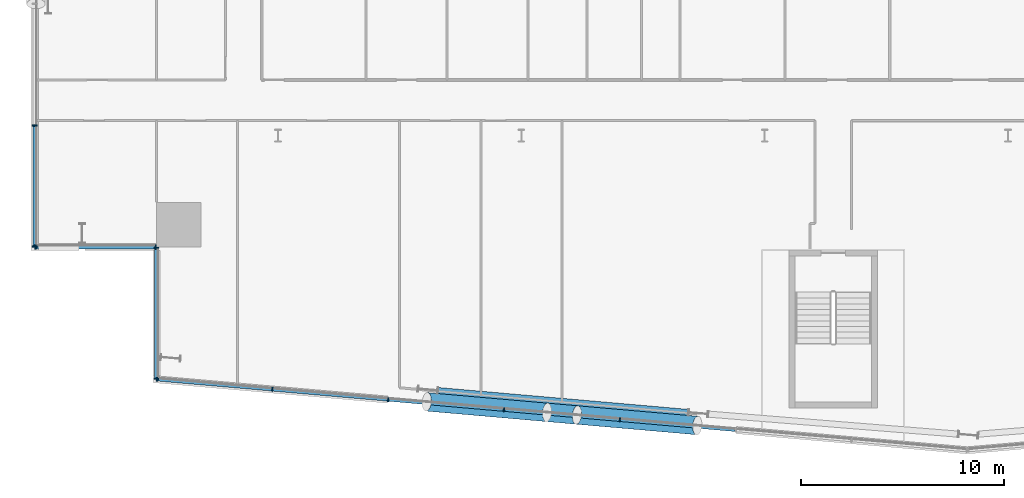
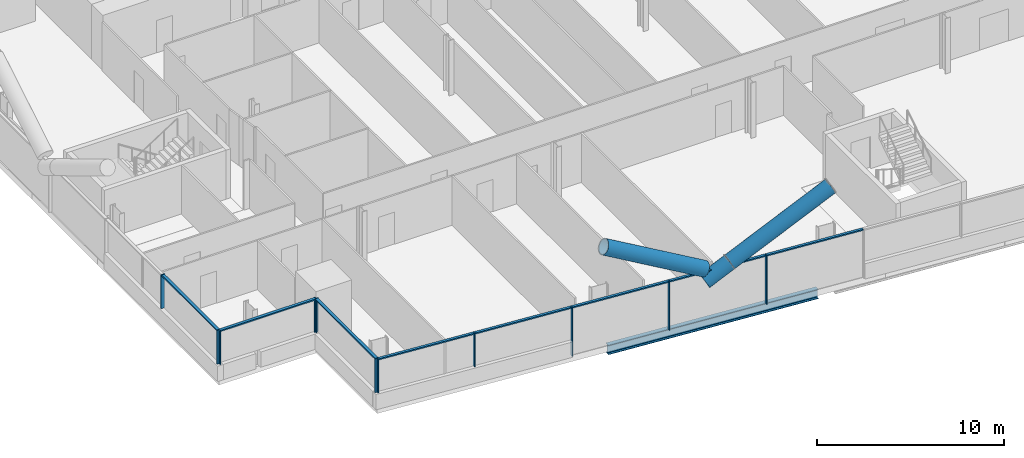
# One storey, part 4 of 27: 22 members, 1 beam, 4 elements without a shape of their own.
"""IFC4 building model written with IfcOpenShell, lengths in metres."""

from ifc_helpers import new_model, si_unit, direction, frame, origin, origin_2d, place, context, subcontext, project, spatial, rectangle, hollow_circle, i_section, extrude, material, material_profile, profile_set, type_object, element, aggregate, save


model = new_model("IFC4")

# Units and contexts
model_context = context("Model", 3, precision=1e-05, world=origin(), true_north=direction((0.0, 1.0)))
body_context = subcontext(model_context, "Body", "Model", "MODEL_VIEW")
ifc_project = project(units=[si_unit("LENGTHUNIT", "METRE"), si_unit("AREAUNIT", "SQUARE_METRE"), si_unit("VOLUMEUNIT", "CUBIC_METRE"), si_unit("PLANEANGLEUNIT", "RADIAN"), si_unit("MASSUNIT", "GRAM", prefix="KILO")], contexts=[model_context])

# Site, building, storey
site_placement = place(None, origin())
site = spatial("IfcSite", under=ifc_project, at=site_placement, CompositionType="ELEMENT")
building_placement = place(site_placement, origin())
building = spatial("IfcBuilding", under=site, at=building_placement, Name="Wharfspan Tower", CompositionType="ELEMENT")
storey_placement = place(building_placement, frame((0.0, 0.0, 48.699951)))
storey = spatial("IfcBuildingStorey", under=building, at=storey_placement, Name="L08", CompositionType="ELEMENT", Elevation=48.699951)

# Member
ifc_material_1 = material(Name="Steel S460NH", Category="steel")
ifc_material_profile_1 = material_profile(ifc_material_1, hollow_circle(Radius=0.457031, WallThickness=0.040039, at=origin_2d()))
ifc_profile_set_1 = profile_set([ifc_material_profile_1], Name="Steel S460NH")
member_type_1 = type_object("IfcMemberType", Name="Brace node tie CHS 914x40", PredefinedType="STRUT", material=ifc_profile_set_1)
member_1_placement = place(storey_placement, frame((25.271973, -2.155762, 2.504395), z_axis=(0.877349, -0.07673, 0.473678), x_axis=(0.087126, 0.996201, -3e-06)))
element("IfcMember", 1, at=member_1_placement, inside=storey, type_object=member_type_1, Name="Brace node tie L08 S1", PredefinedType="STRUT", context=body_context, shape_type="SweptSolid", body=[
    extrude(hollow_circle(Radius=0.457031, WallThickness=0.040039, at=origin_2d()), origin(), (0.0, 0.0, 1.0), 1.67041),
])

# Beam
ifc_material_2 = material(Name="Steel S355J2", Category="steel")
ifc_material_profile_2 = material_profile(ifc_material_2, i_section(OverallWidth=0.300049, OverallDepth=0.600098, WebThickness=0.015381, FlangeThickness=0.030029, FilletRadius=0.0271, at=origin_2d()))
ifc_profile_set_2 = profile_set([ifc_material_profile_2], Name="Steel S355J2")
beam_type = type_object("IfcBeamType", Name="Edge beam HEB 600", PredefinedType="SPANDREL", material=ifc_profile_set_2)
beam_placement = place(storey_placement, frame((19.888916, -1.077637, -0.699951), z_axis=(0.996195, -0.087154, 0.0), x_axis=(0.087154, 0.996195, 0.0)))
element("IfcBeam", 2, at=beam_placement, inside=storey, type_object=beam_type, Name="Edge beam S1 L08 PS1.2 to PS1.3", PredefinedType="SPANDREL", context=body_context, shape_type="SweptSolid", body=[
    extrude(i_section(OverallWidth=0.300049, OverallDepth=0.600098, WebThickness=0.015381, FlangeThickness=0.030029, FilletRadius=0.0271, at=origin_2d()), origin(), (0.0, 0.0, 1.0), 12.384277),
])

# Curtain wall, members
ifc_material_3 = material(Name="Aluminium 6063-T6", Category="aluminium")
curtain_wall_type_1 = type_object("IfcCurtainWallType", Name="CURTAIN WALL FACETED FRONT", PredefinedType="NOTDEFINED", material=ifc_material_3)
curtain_wall_1_placement = place(storey_placement, origin())
curtain_wall_1 = element("IfcCurtainWall", 3, at=curtain_wall_1_placement, inside=storey, type_object=curtain_wall_type_1, Name="Curtain wall S1", PredefinedType="NOTDEFINED")
ifc_material_profile_3 = material_profile(ifc_material_3, rectangle(XDim=0.199951, YDim=0.060059, at=origin_2d()))
ifc_profile_set_3 = profile_set([ifc_material_profile_3], Name="Aluminium 6063-T6")
member_type_2 = type_object("IfcMemberType", Name="MULLION FACETED FRONT 60x200", PredefinedType="MULLION", material=ifc_profile_set_3)
member_2_placement = place(storey_placement, frame((6.029785, -0.527588, 1.0), z_axis=(0.0, 0.0, 1.0), x_axis=(0.087156, 0.996197, 0.0)))
member_2 = element("IfcMember", 4, at=member_2_placement, type_object=member_type_2, Name="Curtain wall S1 mullion 1", PredefinedType="MULLION", context=body_context, shape_type="SweptSolid", body=[
    extrude(rectangle(XDim=0.199951, YDim=0.060059, at=origin_2d()), origin(), (0.0, 0.0, 1.0), 2.199951),
])
member_3_placement = place(storey_placement, frame((11.714355, -1.024902, 1.0), z_axis=(0.0, 0.0, 1.0), x_axis=(0.087156, 0.996197, 0.0)))
member_3 = element("IfcMember", 5, at=member_3_placement, type_object=member_type_2, Name="Curtain wall S1 mullion 2", PredefinedType="MULLION", context=body_context, shape_type="SweptSolid", body=[
    extrude(rectangle(XDim=0.199951, YDim=0.060059, at=origin_2d()), origin(), (0.0, 0.0, 1.0), 2.199951),
])
member_4_placement = place(storey_placement, frame((17.428467, -1.524902, 0.0), z_axis=(0.0, 0.0, 1.0), x_axis=(0.087156, 0.996197, 0.0)))
member_4 = element("IfcMember", 6, at=member_4_placement, type_object=member_type_2, Name="Curtain wall S1 mullion 3", PredefinedType="MULLION", context=body_context, shape_type="SweptSolid", body=[
    extrude(rectangle(XDim=0.199951, YDim=0.060059, at=origin_2d()), origin(), (0.0, 0.0, 1.0), 3.199951),
])
member_5_placement = place(storey_placement, frame((23.142822, -2.024658, 0.0), z_axis=(0.0, 0.0, 1.0), x_axis=(0.087156, 0.996197, 0.0)))
member_5 = element("IfcMember", 7, at=member_5_placement, type_object=member_type_2, Name="Curtain wall S1 mullion 4", PredefinedType="MULLION", context=body_context, shape_type="SweptSolid", body=[
    extrude(rectangle(XDim=0.199951, YDim=0.060059, at=origin_2d()), origin(), (0.0, 0.0, 1.0), 3.199951),
])
member_6_placement = place(storey_placement, frame((28.857178, -2.524658, 0.0), z_axis=(0.0, 0.0, 1.0), x_axis=(0.087156, 0.996197, 0.0)))
member_6 = element("IfcMember", 8, at=member_6_placement, type_object=member_type_2, Name="Curtain wall S1 mullion 5", PredefinedType="MULLION", context=body_context, shape_type="SweptSolid", body=[
    extrude(rectangle(XDim=0.199951, YDim=0.060059, at=origin_2d()), origin(), (0.0, 0.0, 1.0), 3.199951),
])

curtain_wall_type_2 = type_object("IfcCurtainWallType", Name="CURTAIN WALL PROW AND END", PredefinedType="NOTDEFINED", material=ifc_material_3)
curtain_wall_2_placement = place(storey_placement, origin())
curtain_wall_2 = element("IfcCurtainWall", 9, at=curtain_wall_2_placement, inside=storey, type_object=curtain_wall_type_2, Name="Curtain wall W", PredefinedType="NOTDEFINED")
ifc_material_profile_4 = material_profile(ifc_material_3, rectangle(XDim=0.23999, YDim=0.060059, at=origin_2d()))
ifc_profile_set_4 = profile_set([ifc_material_profile_4], Name="Aluminium 6063-T6")
member_type_3 = type_object("IfcMemberType", Name="MULLION PROW AND END 60x240", PredefinedType="MULLION", material=ifc_profile_set_4)
member_7_placement = place(storey_placement, frame((0.0, 12.0, 1.0), z_axis=(0.0, 0.0, 1.0), x_axis=(1.0, 0.0, 0.0)))
member_7 = element("IfcMember", 10, at=member_7_placement, type_object=member_type_3, Name="Curtain wall W mullion 6", PredefinedType="MULLION", context=body_context, shape_type="SweptSolid", body=[
    extrude(rectangle(XDim=0.23999, YDim=0.060059, at=origin_2d()), origin(), (0.0, 0.0, 1.0), 2.199951),
])
member_8_placement = place(storey_placement, frame((0.0, 6.030029, 1.0), z_axis=(0.0, 0.0, 1.0), x_axis=(1.0, 0.0, 0.0)))
member_8 = element("IfcMember", 11, at=member_8_placement, type_object=member_type_3, Name="Curtain wall W mullion 7", PredefinedType="MULLION", context=body_context, shape_type="SweptSolid", body=[
    extrude(rectangle(XDim=0.23999, YDim=0.060059, at=origin_2d()), origin(), (0.0, 0.0, 1.0), 2.199951),
])

curtain_wall_3_placement = place(storey_placement, origin())
curtain_wall_3 = element("IfcCurtainWall", 12, at=curtain_wall_3_placement, inside=storey, type_object=curtain_wall_type_2, Name="Curtain wall NFW-H", PredefinedType="NOTDEFINED")
member_9_placement = place(storey_placement, frame((0.030029, 6.0, 1.0), z_axis=(0.0, 0.0, 1.0), x_axis=(0.0, 1.0, 0.0)))
member_9 = element("IfcMember", 13, at=member_9_placement, type_object=member_type_3, Name="Curtain wall NFW-H mullion 1", PredefinedType="MULLION", context=body_context, shape_type="SweptSolid", body=[
    extrude(rectangle(XDim=0.23999, YDim=0.060059, at=origin_2d()), origin(), (0.0, 0.0, 1.0), 2.199951),
])
member_10_placement = place(storey_placement, frame((5.969971, 6.0, 1.0), z_axis=(0.0, 0.0, 1.0), x_axis=(0.0, 1.0, 0.0)))
member_10 = element("IfcMember", 14, at=member_10_placement, type_object=member_type_3, Name="Curtain wall NFW-H mullion 2", PredefinedType="MULLION", context=body_context, shape_type="SweptSolid", body=[
    extrude(rectangle(XDim=0.23999, YDim=0.060059, at=origin_2d()), origin(), (0.0, 0.0, 1.0), 2.199951),
])

curtain_wall_4_placement = place(storey_placement, origin())
curtain_wall_4 = element("IfcCurtainWall", 15, at=curtain_wall_4_placement, inside=storey, type_object=curtain_wall_type_2, Name="Curtain wall NFW-V", PredefinedType="NOTDEFINED")
member_11_placement = place(storey_placement, frame((6.0, 5.969971, 1.0), z_axis=(0.0, 0.0, 1.0), x_axis=(1.0, 0.0, 0.0)))
member_11 = element("IfcMember", 16, at=member_11_placement, type_object=member_type_3, Name="Curtain wall NFW-V mullion 1", PredefinedType="MULLION", context=body_context, shape_type="SweptSolid", body=[
    extrude(rectangle(XDim=0.23999, YDim=0.060059, at=origin_2d()), origin(), (0.0, 0.0, 1.0), 2.199951),
])
member_12_placement = place(storey_placement, frame((6.0, -0.494873, 1.0), z_axis=(0.0, 0.0, 1.0), x_axis=(1.0, 0.0, 0.0)))
member_12 = element("IfcMember", 17, at=member_12_placement, type_object=member_type_3, Name="Curtain wall NFW-V mullion 2", PredefinedType="MULLION", context=body_context, shape_type="SweptSolid", body=[
    extrude(rectangle(XDim=0.23999, YDim=0.060059, at=origin_2d()), origin(), (0.0, 0.0, 1.0), 2.199951),
])

# Members
ifc_material_profile_5 = material_profile(ifc_material_1, hollow_circle(Radius=0.457031, WallThickness=0.040039, at=origin_2d()))
ifc_profile_set_5 = profile_set([ifc_material_profile_5], Name="Steel S460NH")
member_type_4 = type_object("IfcMemberType", Name="Mega brace CHS 914x40", PredefinedType="BRACE", material=ifc_profile_set_5)
for number, where, z_axis, x_axis, name in (
    (18, (26.746338, -2.284912, 3.300537), (0.877314, -0.076746, 0.47374), (0.087144, 0.996196, 3e-06), "Mega brace S1 L08 part 2"),
    (19, (25.263184, -2.155029, 3.300537), (-0.877314, 0.076746, 0.47374), (-0.087144, -0.996196, 3e-06), "Mega brace S1 L08 part 4"),
):
    element("IfcMember", number, at=place(storey_placement, frame(where, z_axis=z_axis, x_axis=x_axis)), inside=storey, type_object=member_type_4, Name=name, PredefinedType="BRACE", context=body_context, shape_type="SweptSolid", body=[
        extrude(hollow_circle(Radius=0.457031, WallThickness=0.040039, at=origin_2d()), origin(), (0.0, 0.0, 1.0), 6.753662),
    ])

# Member
ifc_material_profile_6 = material_profile(ifc_material_3, rectangle(XDim=0.159912, YDim=0.080078, at=origin_2d()))
ifc_profile_set_6 = profile_set([ifc_material_profile_6], Name="Aluminium 6063-T6")
member_type_5 = type_object("IfcMemberType", Name="TRANSOM FACETED FRONT 80x160", PredefinedType="USERDEFINED", material=ifc_profile_set_6)
member_13_placement = place(storey_placement, frame((6.059814, -0.530273, 3.160156), z_axis=(0.996197, -0.087132, 0.0), x_axis=(0.087132, 0.996197, 0.0)))
member_13 = element("IfcMember", 20, at=member_13_placement, type_object=member_type_5, Name="Curtain wall S1 transom 1", ObjectType="TRANSOM", PredefinedType="USERDEFINED", context=body_context, shape_type="SweptSolid", body=[
    extrude(rectangle(XDim=0.159912, YDim=0.080078, at=origin_2d()), origin(), (0.0, 0.0, 1.0), 5.645996),
])

member_14_placement = place(storey_placement, frame((11.744141, -1.027588, 3.160156), z_axis=(0.996196, -0.087142, 0.0), x_axis=(0.087142, 0.996196, 0.0)))
member_14 = element("IfcMember", 21, at=member_14_placement, type_object=member_type_5, Name="Curtain wall S1 transom 2", ObjectType="TRANSOM", PredefinedType="USERDEFINED", context=body_context, shape_type="SweptSolid", body=[
    extrude(rectangle(XDim=0.159912, YDim=0.080078, at=origin_2d()), origin(), (0.0, 0.0, 1.0), 5.676025),
])

member_15_placement = place(storey_placement, frame((17.458496, -1.527344, 3.160156), z_axis=(0.996192, -0.087185, 0.0), x_axis=(0.087185, 0.996192, 0.0)))
member_15 = element("IfcMember", 22, at=member_15_placement, type_object=member_type_5, Name="Curtain wall S1 transom 3", ObjectType="TRANSOM", PredefinedType="USERDEFINED", context=body_context, shape_type="SweptSolid", body=[
    extrude(rectangle(XDim=0.159912, YDim=0.080078, at=origin_2d()), origin(), (0.0, 0.0, 1.0), 5.67627),
])

member_16_placement = place(storey_placement, frame((23.172852, -2.027344, 3.160156), z_axis=(0.996196, -0.087146, 0.0), x_axis=(0.087146, 0.996196, 0.0)))
member_16 = element("IfcMember", 23, at=member_16_placement, type_object=member_type_5, Name="Curtain wall S1 transom 4", ObjectType="TRANSOM", PredefinedType="USERDEFINED", context=body_context, shape_type="SweptSolid", body=[
    extrude(rectangle(XDim=0.159912, YDim=0.080078, at=origin_2d()), origin(), (0.0, 0.0, 1.0), 5.675781),
])

member_17_placement = place(storey_placement, frame((28.886963, -2.527344, 3.160156), z_axis=(0.996196, -0.087142, 0.0), x_axis=(0.087142, 0.996196, 0.0)))
member_17 = element("IfcMember", 24, at=member_17_placement, type_object=member_type_5, Name="Curtain wall S1 transom 5", ObjectType="TRANSOM", PredefinedType="USERDEFINED", context=body_context, shape_type="SweptSolid", body=[
    extrude(rectangle(XDim=0.159912, YDim=0.080078, at=origin_2d()), origin(), (0.0, 0.0, 1.0), 5.676025),
])

aggregate(curtain_wall_1, [member_2, member_3, member_4, member_5, member_6, member_13, member_14, member_15, member_16, member_17])

ifc_material_profile_7 = material_profile(ifc_material_3, rectangle(XDim=0.179932, YDim=0.080078, at=origin_2d()))
ifc_profile_set_7 = profile_set([ifc_material_profile_7], Name="Aluminium 6063-T6")
member_type_6 = type_object("IfcMemberType", Name="TRANSOM PROW AND END 80x180", PredefinedType="USERDEFINED", material=ifc_profile_set_7)
member_18_placement = place(storey_placement, frame((0.0, 11.969971, 3.160156), z_axis=(0.0, -1.0, 0.0), x_axis=(1.0, 0.0, 0.0)))
member_18 = element("IfcMember", 25, at=member_18_placement, type_object=member_type_6, Name="Curtain wall W transom 6", ObjectType="TRANSOM", PredefinedType="USERDEFINED", context=body_context, shape_type="SweptSolid", body=[
    extrude(rectangle(XDim=0.179932, YDim=0.080078, at=origin_2d()), origin(), (0.0, 0.0, 1.0), 5.909912),
])

aggregate(curtain_wall_2, [member_7, member_8, member_18])

member_19_placement = place(storey_placement, frame((0.060059, 6.0, 3.160156), z_axis=(1.0, 0.0, 0.0), x_axis=(0.0, 1.0, 0.0)))
member_19 = element("IfcMember", 26, at=member_19_placement, type_object=member_type_6, Name="Curtain wall NFW-H transom 1", ObjectType="TRANSOM", PredefinedType="USERDEFINED", context=body_context, shape_type="SweptSolid", body=[
    extrude(rectangle(XDim=0.179932, YDim=0.080078, at=origin_2d()), origin(), (0.0, 0.0, 1.0), 5.879883),
])

aggregate(curtain_wall_3, [member_9, member_10, member_19])

member_20_placement = place(storey_placement, frame((6.0, 5.939941, 3.160156), z_axis=(0.0, -1.0, 0.0), x_axis=(1.0, 0.0, 0.0)))
member_20 = element("IfcMember", 27, at=member_20_placement, type_object=member_type_6, Name="Curtain wall NFW-V transom 1", ObjectType="TRANSOM", PredefinedType="USERDEFINED", context=body_context, shape_type="SweptSolid", body=[
    extrude(rectangle(XDim=0.179932, YDim=0.080078, at=origin_2d()), origin(), (0.0, 0.0, 1.0), 6.404785),
])

aggregate(curtain_wall_4, [member_11, member_12, member_20])

save(model, "model.ifc")
